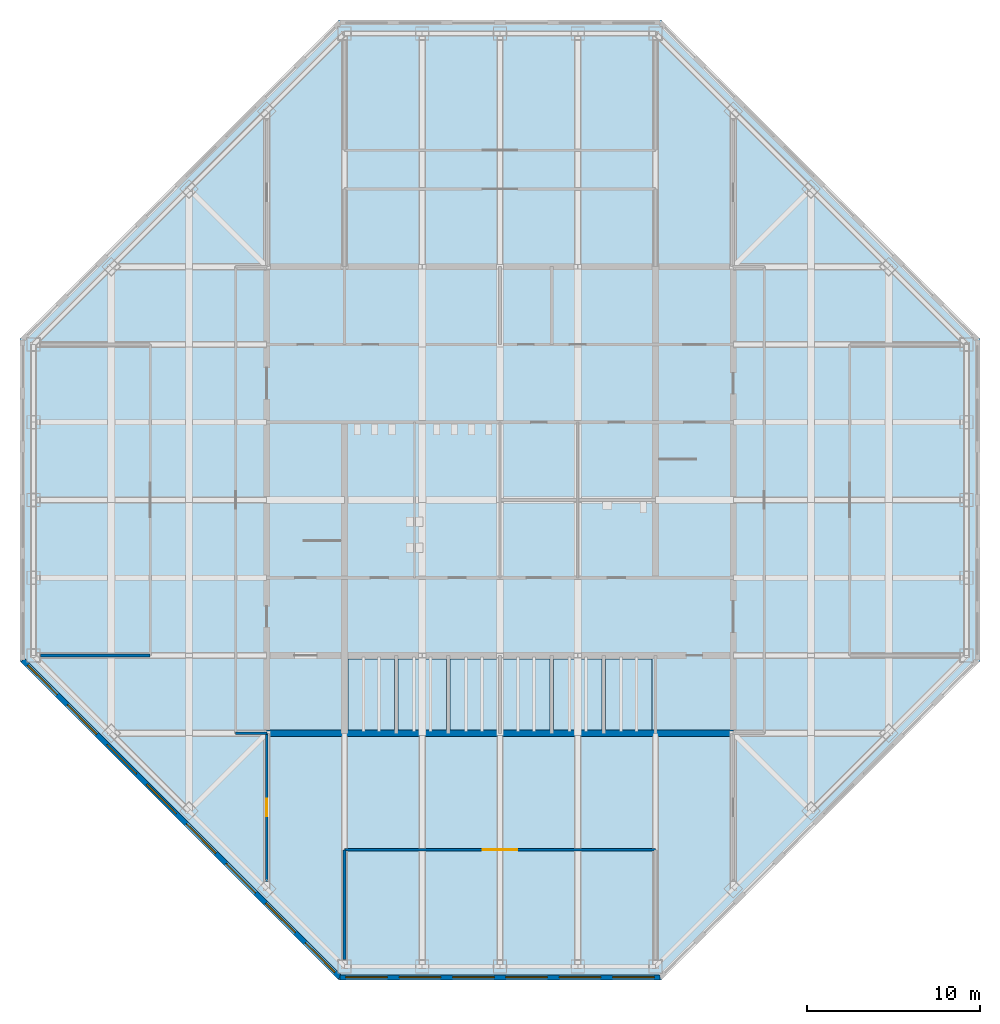
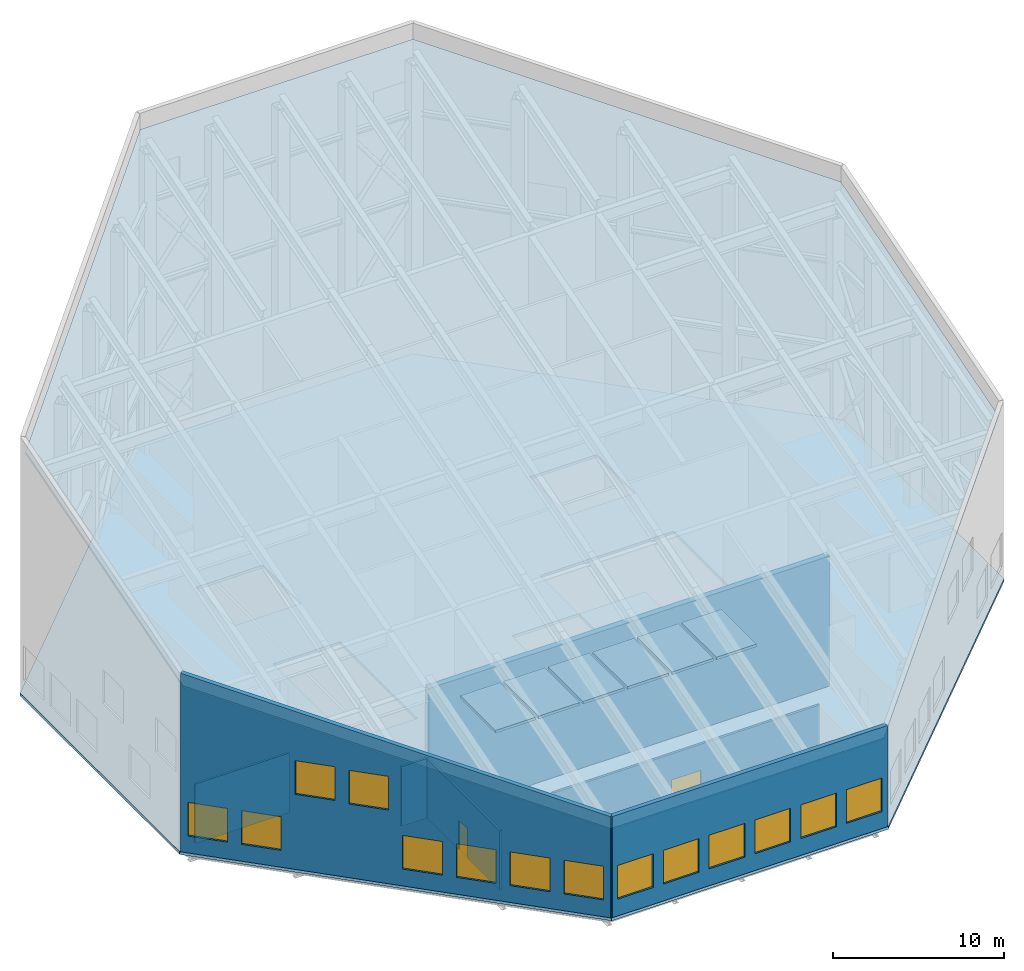
# One storey, part 4 of 10: 14 windows, 8 slabs, 8 walls, 2 doors, 16 openings.
"""IFC4 building model written with IfcOpenShell, lengths in metres."""

from ifc_helpers import new_model, si_unit, direction, frame, frame_2d, origin, place, context, subcontext, project, spatial, polyline, rectangle, outline, extrude, material, layer, layer_set, type_object, element, fill, save


model = new_model("IFC4")

# Units and contexts
model_context = context("Model", 3, precision=1e-05, world=origin(), true_north=direction((0.0, 1.0)))
body_context = subcontext(model_context, "Body", "Model", "MODEL_VIEW")
ifc_project = project(units=[si_unit("LENGTHUNIT", "METRE"), si_unit("AREAUNIT", "SQUARE_METRE"), si_unit("VOLUMEUNIT", "CUBIC_METRE"), si_unit("PLANEANGLEUNIT", "RADIAN"), si_unit("MASSUNIT", "GRAM", prefix="KILO")], contexts=[model_context])

# Site, building, storey
site_placement = place(None, origin())
site = spatial("IfcSite", under=ifc_project, at=site_placement, CompositionType="ELEMENT")
building_placement = place(site_placement, origin())
building = spatial("IfcBuilding", under=site, at=building_placement, Name="Corais Broadcast Tower", CompositionType="ELEMENT")
storey_placement = place(building_placement, frame((0.0, 0.0, 320.10009765625)))
storey = spatial("IfcBuildingStorey", under=building, at=storey_placement, Name="L75", CompositionType="ELEMENT", Elevation=320.10009765625)

# Slabs
ifc_material_1 = material(Name="Concrete C30/37", Category="concrete")
ifc_layer_1 = layer(ifc_material_1, 0.199951171875)
ifc_layer_set_1 = layer_set([ifc_layer_1], Name="Concrete C30/37")
slab_type_1 = type_object("IfcSlabType", Name="Composite floor slab 200", PredefinedType="FLOOR", material=ifc_layer_set_1)
slab_1_placement = place(storey_placement, frame((0.0, 0.0, -0.2001953125)))
element("IfcSlab", 1, at=slab_1_placement, inside=storey, type_object=slab_type_1, Name="S200 floor slab L75", PredefinedType="FLOOR", context=body_context, shape_type="SweptSolid", body=[
    extrude(outline(polyline([(17.677001953125, -0.780029296875), (-0.780029296875, 17.677001953125), (-0.780029296875, 36.322998046875), (17.677001953125, 54.780029296875), (36.322998046875, 54.780029296875), (54.780029296875, 36.322998046875), (54.780029296875, 17.677001953125), (36.322998046875, -0.780029296875), (17.677001953125, -0.780029296875)]), holes=[polyline([(13.5, 18.0), (40.5, 18.0), (40.5, 13.5), (13.5, 13.5), (13.5, 18.0)]), polyline([(18.0, 22.5), (13.5, 22.5), (13.5, 31.5), (18.0, 31.5), (18.0, 22.5)]), polyline([(18.0, 36.0), (13.5, 36.0), (13.5, 40.5), (18.0, 40.5), (18.0, 36.0)]), polyline([(31.5, 22.5), (27.0, 22.5), (27.0, 27.0), (31.4951171875, 27.0), (31.4951171875, 27.0048828125), (31.5, 27.0048828125), (31.5, 31.5), (40.5, 31.5), (40.5, 22.5), (36.0, 22.5), (36.0, 27.0), (31.5048828125, 27.0), (31.5048828125, 26.9951171875), (31.5, 26.9951171875), (31.5, 22.5)]), polyline([(40.5, 36.0), (36.0, 36.0), (36.0, 40.5), (40.5, 40.5), (40.5, 36.0)])]), origin(), (0.0, 0.0, 1.0), 0.2001953125),
])
ifc_material_2 = material(Name="Concrete C30/37", Category="concrete")
ifc_layer_2 = layer(ifc_material_2, 0.14990234375)
ifc_layer_set_2 = layer_set([ifc_layer_2], Name="Concrete C30/37")
slab_type_2 = type_object("IfcSlabType", Name="Crown roof deck 150", PredefinedType="ROOF", material=ifc_layer_set_2)
slab_2_placement = place(storey_placement, frame((17.80126953125, -0.47998046875, 6.156005859375), z_axis=(0.0, -0.287343875373, 0.95782748827), x_axis=(-0.691714463869, 0.69171533267, 0.207511443113)))
element("IfcSlab", 2, at=slab_2_placement, inside=storey, type_object=slab_type_2, Name="RS2 crown roof", PredefinedType="ROOF", context=body_context, shape_type="SweptSolid", body=[
    extrude(outline(polyline([(0.0, 0.0), (26.4288965388122, -4.440892098500626e-16), (40.299966922532775, -13.286075817796654), (41.43805337612602, -39.69045673239844), (28.712263547187987, -52.97657137049093), (2.2833670083757864, -52.97657137049093), (-11.587703375344788, -39.69049555269427), (-12.725789828938032, -13.286114638092494), (0.0, 0.0)])), origin(), (0.0, 0.0, -1.0), 0.14990234375),
])
ifc_material_3 = material(Name="Concrete C30/37", Category="concrete")
ifc_layer_3 = layer(ifc_material_3, 0.199951171875)
ifc_layer_set_3 = layer_set([ifc_layer_3], Name="Concrete C30/37")
slab_type_3 = type_object("IfcSlabType", Name="Lift shaft slab 200", PredefinedType="FLOOR", material=ifc_layer_set_3)
slab_3_placement = place(storey_placement, frame((0.0, 0.0, 4.199951171875)))
element("IfcSlab", 3, at=slab_3_placement, inside=storey, type_object=slab_type_3, Name="SS1 lift shaft slab L75 1", PredefinedType="FLOOR", context=body_context, shape_type="SweptSolid", body=[
    extrude(outline(polyline([(18.199951171875, 13.699951171875), (20.89990234375, 13.699951171875), (20.89990234375, 17.800048828125), (18.199951171875, 17.800048828125), (18.199951171875, 13.699951171875)])), origin(), (0.0, 0.0, 1.0), 0.199951171875),
])
slab_4_placement = place(storey_placement, frame((0.0, 0.0, 4.199951171875)))
element("IfcSlab", 4, at=slab_4_placement, inside=storey, type_object=slab_type_3, Name="SS1 lift shaft slab L75 2", PredefinedType="FLOOR", context=body_context, shape_type="SweptSolid", body=[
    extrude(outline(polyline([(21.10009765625, 13.699951171875), (23.89990234375, 13.699951171875), (23.89990234375, 17.800048828125), (21.10009765625, 17.800048828125), (21.10009765625, 13.699951171875)])), origin(), (0.0, 0.0, 1.0), 0.199951171875),
])
slab_5_placement = place(storey_placement, frame((0.0, 0.0, 4.199951171875)))
element("IfcSlab", 5, at=slab_5_placement, inside=storey, type_object=slab_type_3, Name="SS1 lift shaft slab L75 3", PredefinedType="FLOOR", context=body_context, shape_type="SweptSolid", body=[
    extrude(outline(polyline([(24.10009765625, 13.699951171875), (26.89990234375, 13.699951171875), (26.89990234375, 17.800048828125), (24.10009765625, 17.800048828125), (24.10009765625, 13.699951171875)])), origin(), (0.0, 0.0, 1.0), 0.199951171875),
])
slab_6_placement = place(storey_placement, frame((0.0, 0.0, 4.199951171875)))
element("IfcSlab", 6, at=slab_6_placement, inside=storey, type_object=slab_type_3, Name="SS1 lift shaft slab L75 4", PredefinedType="FLOOR", context=body_context, shape_type="SweptSolid", body=[
    extrude(outline(polyline([(27.10009765625, 13.699951171875), (29.89990234375, 13.699951171875), (29.89990234375, 17.800048828125), (27.10009765625, 17.800048828125), (27.10009765625, 13.699951171875)])), origin(), (0.0, 0.0, 1.0), 0.199951171875),
])
slab_7_placement = place(storey_placement, frame((0.0, 0.0, 4.199951171875)))
element("IfcSlab", 7, at=slab_7_placement, inside=storey, type_object=slab_type_3, Name="SS1 lift shaft slab L75 5", PredefinedType="FLOOR", context=body_context, shape_type="SweptSolid", body=[
    extrude(outline(polyline([(30.10009765625, 13.699951171875), (32.89990234375, 13.699951171875), (32.89990234375, 17.800048828125), (30.10009765625, 17.800048828125), (30.10009765625, 13.699951171875)])), origin(), (0.0, 0.0, 1.0), 0.199951171875),
])
slab_8_placement = place(storey_placement, frame((0.0, 0.0, 4.199951171875)))
element("IfcSlab", 8, at=slab_8_placement, inside=storey, type_object=slab_type_3, Name="SS1 lift shaft slab L75 6", PredefinedType="FLOOR", context=body_context, shape_type="SweptSolid", body=[
    extrude(outline(polyline([(33.10009765625, 13.699951171875), (35.800048828125, 13.699951171875), (35.800048828125, 17.800048828125), (33.10009765625, 17.800048828125), (33.10009765625, 13.699951171875)])), origin(), (0.0, 0.0, 1.0), 0.199951171875),
])

# Wall
ifc_material_4 = material(Name="Concrete C50/60", Category="concrete")
ifc_layer_4 = layer(ifc_material_4, 0.39990234375)
ifc_layer_set_4 = layer_set([ifc_layer_4], Name="Concrete C50/60")
wall_type_1 = type_object("IfcWallType", Name="Core wall 400", PredefinedType="SHEAR", material=ifc_layer_set_4)
wall_1_placement = place(storey_placement, frame((13.5, 13.5, 0.0), z_axis=(0.0, 0.0, 1.0), x_axis=(1.0, 0.0, 0.0)))
element("IfcWall", 9, at=wall_1_placement, inside=storey, type_object=wall_type_1, Name="CR400 core wall S L75", PredefinedType="SHEAR", context=body_context, shape_type="SweptSolid", body=[
    extrude(rectangle(XDim=27.0, YDim=0.39990234375, at=frame_2d((13.5, 0.0))), origin(), (0.0, 0.0, 1.0), 9.277099609375),
])

# Wall, opening, door
ifc_material_5 = material(Name="Two layers of fire-rated gypsum board each side on steel studs", Category="steel")
ifc_layer_5 = layer(ifc_material_5, 0.14990234375)
ifc_layer_set_5 = layer_set([ifc_layer_5], Name="Two layers of fire-rated gypsum board each side on steel studs")
wall_type_2 = type_object("IfcWallType", Name="Fire-rated partition 150 EI 60", PredefinedType="PARTITIONING", material=ifc_layer_set_5)
wall_2_placement = place(storey_placement, frame((36.0, 6.75, 0.0), z_axis=(0.0, 0.0, 1.0), x_axis=(-1.0, 0.0, 0.0)))
wall_2 = element("IfcWall", 10, at=wall_2_placement, inside=storey, type_object=wall_type_2, Name="IW7 partition L75", PredefinedType="PARTITIONING", context=body_context, shape_type="SweptSolid", body=[
    extrude(rectangle(XDim=18.0, YDim=0.14990234375, at=frame_2d((9.0, 0.0))), origin(), (0.0, 0.0, 1.0), 4.245849609375),
])
opening_1_placement = place(wall_2_placement, frame((8.0, 0.0, 0.0)))
opening_1 = element("IfcOpeningElement", 11, at=opening_1_placement, cuts=wall_2, Name="Opening D4", PredefinedType="OPENING", context=body_context, shape_type="SweptSolid", body=[
    extrude(rectangle(XDim=2.0, YDim=2.39990234375, at=frame_2d((1.0, 1.199951171875))), frame((0.0, 0.0849609375, 0.0), z_axis=(0.0, -1.0, 0.0), x_axis=(1.0, 0.0, 0.0)), (0.0, 0.0, 1.0), 0.169921875),
])
ifc_material_6 = material(Name="Steel door", Category="steel")
door_type_1 = type_object("IfcDoorType", Name="Plant room door pair 2000x2400", OperationType="DOUBLE_DOOR_SINGLE_SWING", PredefinedType="DOOR", material=ifc_material_6)
door_1_placement = place(opening_1_placement, origin())
door_1 = element("IfcDoor", 12, at=door_1_placement, inside=storey, type_object=door_type_1, Name="D4 Water treatment plant room door", OperationType="SINGLE_SWING_LEFT", OverallHeight=2.39990234375, OverallWidth=2.0, PredefinedType="DOOR", context=body_context, shape_type="SweptSolid", body=[
    extrude(rectangle(XDim=2.0, YDim=2.39990234375, at=frame_2d((1.0, 1.199951171875))), frame((0.0, 0.02490234375, 0.0), z_axis=(0.0, -1.0, 0.0), x_axis=(1.0, 0.0, 0.0)), (0.0, 0.0, 1.0), 0.050048828125),
])
fill(opening_1, door_1)

# Walls
for number, where, z_axis, x_axis, name in (
    (13, (18.0, 6.75, 0.0), (0.0, 0.0, 1.0), (0.0, -1.0, 0.0), "IW7 partition L75"),
    (14, (0.409912109375, 18.0, 0.0), (0.0, 0.0, 1.0), (1.0, 0.0, 0.0), "IW7 partition L75"),
):
    element("IfcWall", number, at=place(storey_placement, frame(where, z_axis=z_axis, x_axis=x_axis)), inside=storey, type_object=wall_type_2, Name=name, PredefinedType="PARTITIONING", context=body_context, shape_type="SweptSolid", body=[
        extrude(rectangle(XDim=6.340087890625, YDim=0.14990234375, at=frame_2d((3.169921875, 0.0))), origin(), (0.0, 0.0, 1.0), 4.245849609375),
    ])
ifc_material_7 = material(Name="Gypsum board on steel studs", Category="steel")
ifc_layer_6 = layer(ifc_material_7, 0.14990234375)
ifc_layer_set_6 = layer_set([ifc_layer_6], Name="Gypsum board on steel studs")
wall_type_3 = type_object("IfcWallType", Name="Partition 150", PredefinedType="PARTITIONING", material=ifc_layer_set_6)
wall_3_placement = place(storey_placement, frame((11.699951171875, 13.5, 0.0), z_axis=(0.0, 0.0, 1.0), x_axis=(1.0, 0.0, 0.0)))
element("IfcWall", 15, at=wall_3_placement, inside=storey, type_object=wall_type_3, Name="IW3 corridor wall L75", PredefinedType="PARTITIONING", context=body_context, shape_type="SweptSolid", body=[
    extrude(rectangle(XDim=1.81005859375, YDim=0.14990234375, at=frame_2d((0.905029296875, 0.0))), origin(), (0.0, 0.0, 1.0), 4.245849609375),
])

# Wall, opening, door
wall_4_placement = place(storey_placement, frame((13.5, 4.919921875, 0.0), z_axis=(0.0, 0.0, 1.0), x_axis=(0.0, 1.0, 0.0)))
wall_4 = element("IfcWall", 16, at=wall_4_placement, inside=storey, type_object=wall_type_3, Name="IW3 partition L75", PredefinedType="PARTITIONING", context=body_context, shape_type="SweptSolid", body=[
    extrude(rectangle(XDim=8.580078125, YDim=0.14990234375, at=frame_2d((4.2900390625, 0.0))), origin(), (0.0, 0.0, 1.0), 4.245849609375),
])
opening_2_placement = place(wall_4_placement, frame((3.7900390625, 0.0, 0.0)))
opening_2 = element("IfcOpeningElement", 17, at=opening_2_placement, cuts=wall_4, Name="Opening D1", PredefinedType="OPENING", context=body_context, shape_type="SweptSolid", body=[
    extrude(rectangle(XDim=1.0, YDim=2.10009765625, at=frame_2d((0.5, 1.050048828125))), frame((0.0, 0.0849609375, 0.0), z_axis=(0.0, -1.0, 0.0), x_axis=(1.0, 0.0, 0.0)), (0.0, 0.0, 1.0), 0.169921875),
])
ifc_material_8 = material(Name="Timber door", Category="wood")
door_type_2 = type_object("IfcDoorType", Name="Single door 1000x2100", OperationType="SINGLE_SWING_LEFT", PredefinedType="DOOR", material=ifc_material_8)
door_2_placement = place(opening_2_placement, origin())
door_2 = element("IfcDoor", 18, at=door_2_placement, inside=storey, type_object=door_type_2, Name="D1 team room door L75", OperationType="SINGLE_SWING_LEFT", OverallHeight=2.10009765625, OverallWidth=1.0, PredefinedType="DOOR", context=body_context, shape_type="SweptSolid", body=[
    extrude(rectangle(XDim=1.0, YDim=2.10009765625, at=frame_2d((0.5, 1.050048828125))), frame((0.0, 0.02490234375, 0.0), z_axis=(0.0, -1.0, 0.0), x_axis=(1.0, 0.0, 0.0)), (0.0, 0.0, 1.0), 0.050048828125),
])
fill(opening_2, door_2)

# Wall, openings, windows
ifc_material_9 = material(Name="Precast concrete C40/50", Category="concrete")
ifc_layer_7 = layer(ifc_material_9, 0.300048828125)
ifc_layer_set_7 = layer_set([ifc_layer_7], Name="Precast concrete C40/50")
wall_type_4 = type_object("IfcWallType", Name="Stone-faced precast wall 300", PredefinedType="SOLIDWALL", material=ifc_layer_set_7)
wall_5_placement = place(storey_placement, frame((17.739013671875, -0.6298828125, 0.0), z_axis=(0.0, 0.0, 1.0), x_axis=(-0.707106781187, 0.707106781187, 0.0)))
wall_5 = element("IfcWall", 19, at=wall_5_placement, inside=storey, type_object=wall_type_4, Name="EW1 crown wall L75 1", PredefinedType="SOLIDWALL", context=body_context, shape_type="SweptSolid", body=[
    extrude(outline(polyline([(0.0, 0.0), (25.9775390625, 0.0), (25.977783203125, 12.7216796875), (0.0, 7.2109375), (0.0, 0.0)])), frame((0.0, 0.14990234375, 0.0), z_axis=(0.0, -1.0, 0.0), x_axis=(1.0, 0.0, 0.0)), (0.0, 0.0, 1.0), 0.300048828125),
])
opening_3_placement = place(wall_5_placement, frame((0.423583984375, 0.0, 1.199951171875)))
opening_3 = element("IfcOpeningElement", 20, at=opening_3_placement, cuts=wall_5, Name="Opening LV2", PredefinedType="OPENING", context=body_context, shape_type="SweptSolid", body=[
    extrude(rectangle(XDim=2.39990234375, YDim=2.39990234375, at=frame_2d((1.199951171875, 1.199951171875))), frame((0.0, 0.159912109375, 0.0), z_axis=(0.0, -1.0, 0.0), x_axis=(1.0, 0.0, 0.0)), (0.0, 0.0, 1.0), 0.320068359375),
])
opening_4_placement = place(wall_5_placement, frame((3.6708984375, 0.0, 1.199951171875)))
opening_4 = element("IfcOpeningElement", 21, at=opening_4_placement, cuts=wall_5, Name="Opening LV2", PredefinedType="OPENING", context=body_context, shape_type="SweptSolid", body=[
    extrude(rectangle(XDim=2.39990234375, YDim=2.39990234375, at=frame_2d((1.199951171875, 1.199951171875))), frame((0.0, 0.159912109375, 0.0), z_axis=(0.0, -1.0, 0.0), x_axis=(1.0, 0.0, 0.0)), (0.0, 0.0, 1.0), 0.320068359375),
])
opening_5_placement = place(wall_5_placement, frame((6.91796875, 0.0, 1.199951171875)))
opening_5 = element("IfcOpeningElement", 22, at=opening_5_placement, cuts=wall_5, Name="Opening LV2", PredefinedType="OPENING", context=body_context, shape_type="SweptSolid", body=[
    extrude(rectangle(XDim=2.39990234375, YDim=2.39990234375, at=frame_2d((1.199951171875, 1.199951171875))), frame((0.0, 0.159912109375, 0.0), z_axis=(0.0, -1.0, 0.0), x_axis=(1.0, 0.0, 0.0)), (0.0, 0.0, 1.0), 0.320068359375),
])
opening_6_placement = place(wall_5_placement, frame((10.165283203125, 0.0, 1.199951171875)))
opening_6 = element("IfcOpeningElement", 23, at=opening_6_placement, cuts=wall_5, Name="Opening LV2", PredefinedType="OPENING", context=body_context, shape_type="SweptSolid", body=[
    extrude(rectangle(XDim=2.39990234375, YDim=2.39990234375, at=frame_2d((1.199951171875, 1.199951171875))), frame((0.0, 0.159912109375, 0.0), z_axis=(0.0, -1.0, 0.0), x_axis=(1.0, 0.0, 0.0)), (0.0, 0.0, 1.0), 0.320068359375),
])
opening_7_placement = place(wall_5_placement, frame((13.412353515625, 0.0, 5.25)))
opening_7 = element("IfcOpeningElement", 24, at=opening_7_placement, cuts=wall_5, Name="Opening LV2", PredefinedType="OPENING", context=body_context, shape_type="SweptSolid", body=[
    extrude(rectangle(XDim=2.39990234375, YDim=2.39990234375, at=frame_2d((1.199951171875, 1.199951171875))), frame((0.0, 0.159912109375, 0.0), z_axis=(0.0, -1.0, 0.0), x_axis=(1.0, 0.0, 0.0)), (0.0, 0.0, 1.0), 0.320068359375),
])
opening_8_placement = place(wall_5_placement, frame((16.65966796875, 0.0, 5.35009765625)))
opening_8 = element("IfcOpeningElement", 25, at=opening_8_placement, cuts=wall_5, Name="Opening LV2", PredefinedType="OPENING", context=body_context, shape_type="SweptSolid", body=[
    extrude(rectangle(XDim=2.39990234375, YDim=2.39990234375, at=frame_2d((1.199951171875, 1.199951171875))), frame((0.0, 0.159912109375, 0.0), z_axis=(0.0, -1.0, 0.0), x_axis=(1.0, 0.0, 0.0)), (0.0, 0.0, 1.0), 0.320068359375),
])
opening_9_placement = place(wall_5_placement, frame((19.906982421875, 0.0, 1.199951171875)))
opening_9 = element("IfcOpeningElement", 26, at=opening_9_placement, cuts=wall_5, Name="Opening LV2", PredefinedType="OPENING", context=body_context, shape_type="SweptSolid", body=[
    extrude(rectangle(XDim=2.39990234375, YDim=2.39990234375, at=frame_2d((1.199951171875, 1.199951171875))), frame((0.0, 0.159912109375, 0.0), z_axis=(0.0, -1.0, 0.0), x_axis=(1.0, 0.0, 0.0)), (0.0, 0.0, 1.0), 0.320068359375),
])
opening_10_placement = place(wall_5_placement, frame((23.154052734375, 0.0, 1.199951171875)))
opening_10 = element("IfcOpeningElement", 27, at=opening_10_placement, cuts=wall_5, Name="Opening LV2", PredefinedType="OPENING", context=body_context, shape_type="SweptSolid", body=[
    extrude(rectangle(XDim=2.39990234375, YDim=2.39990234375, at=frame_2d((1.199951171875, 1.199951171875))), frame((0.0, 0.159912109375, 0.0), z_axis=(0.0, -1.0, 0.0), x_axis=(1.0, 0.0, 0.0)), (0.0, 0.0, 1.0), 0.320068359375),
])
ifc_material_10 = material(Name="Aluminium frame", Category="aluminium")
window_type = type_object("IfcWindowType", Name="Crown louvre 2400x2400", PartitioningType="SINGLE_PANEL", PredefinedType="USERDEFINED", material=ifc_material_10)
window_1_placement = place(opening_3_placement, origin())
window_1 = element("IfcWindow", 28, at=window_1_placement, inside=storey, type_object=window_type, Name="LV2 window L75", ObjectType="LOUVRE", OverallHeight=2.39990234375, OverallWidth=2.39990234375, PartitioningType="SINGLE_PANEL", PredefinedType="USERDEFINED", context=body_context, shape_type="SweptSolid", body=[
    extrude(rectangle(XDim=2.39990234375, YDim=2.39990234375, at=frame_2d((1.199951171875, 1.199951171875))), frame((0.0, 0.030029296875, 0.0), z_axis=(0.0, -1.0, 0.0), x_axis=(1.0, 0.0, 0.0)), (0.0, 0.0, 1.0), 0.06005859375),
])
fill(opening_3, window_1)
window_2_placement = place(opening_4_placement, origin())
window_2 = element("IfcWindow", 29, at=window_2_placement, inside=storey, type_object=window_type, Name="LV2 window L75", ObjectType="LOUVRE", OverallHeight=2.39990234375, OverallWidth=2.39990234375, PartitioningType="SINGLE_PANEL", PredefinedType="USERDEFINED", context=body_context, shape_type="SweptSolid", body=[
    extrude(rectangle(XDim=2.39990234375, YDim=2.39990234375, at=frame_2d((1.199951171875, 1.199951171875))), frame((0.0, 0.030029296875, 0.0), z_axis=(0.0, -1.0, 0.0), x_axis=(1.0, 0.0, 0.0)), (0.0, 0.0, 1.0), 0.06005859375),
])
fill(opening_4, window_2)
window_3_placement = place(opening_5_placement, origin())
window_3 = element("IfcWindow", 30, at=window_3_placement, inside=storey, type_object=window_type, Name="LV2 window L75", ObjectType="LOUVRE", OverallHeight=2.39990234375, OverallWidth=2.39990234375, PartitioningType="SINGLE_PANEL", PredefinedType="USERDEFINED", context=body_context, shape_type="SweptSolid", body=[
    extrude(rectangle(XDim=2.39990234375, YDim=2.39990234375, at=frame_2d((1.199951171875, 1.199951171875))), frame((0.0, 0.030029296875, 0.0), z_axis=(0.0, -1.0, 0.0), x_axis=(1.0, 0.0, 0.0)), (0.0, 0.0, 1.0), 0.06005859375),
])
fill(opening_5, window_3)
window_4_placement = place(opening_6_placement, origin())
window_4 = element("IfcWindow", 31, at=window_4_placement, inside=storey, type_object=window_type, Name="LV2 window L75", ObjectType="LOUVRE", OverallHeight=2.39990234375, OverallWidth=2.39990234375, PartitioningType="SINGLE_PANEL", PredefinedType="USERDEFINED", context=body_context, shape_type="SweptSolid", body=[
    extrude(rectangle(XDim=2.39990234375, YDim=2.39990234375, at=frame_2d((1.199951171875, 1.199951171875))), frame((0.0, 0.030029296875, 0.0), z_axis=(0.0, -1.0, 0.0), x_axis=(1.0, 0.0, 0.0)), (0.0, 0.0, 1.0), 0.06005859375),
])
fill(opening_6, window_4)
window_5_placement = place(opening_7_placement, origin())
window_5 = element("IfcWindow", 32, at=window_5_placement, inside=storey, type_object=window_type, Name="LV2 window L75", ObjectType="LOUVRE", OverallHeight=2.39990234375, OverallWidth=2.39990234375, PartitioningType="SINGLE_PANEL", PredefinedType="USERDEFINED", context=body_context, shape_type="SweptSolid", body=[
    extrude(rectangle(XDim=2.39990234375, YDim=2.39990234375, at=frame_2d((1.199951171875, 1.199951171875))), frame((0.0, 0.030029296875, 0.0), z_axis=(0.0, -1.0, 0.0), x_axis=(1.0, 0.0, 0.0)), (0.0, 0.0, 1.0), 0.06005859375),
])
fill(opening_7, window_5)
window_6_placement = place(opening_8_placement, origin())
window_6 = element("IfcWindow", 33, at=window_6_placement, inside=storey, type_object=window_type, Name="LV2 window L75", ObjectType="LOUVRE", OverallHeight=2.39990234375, OverallWidth=2.39990234375, PartitioningType="SINGLE_PANEL", PredefinedType="USERDEFINED", context=body_context, shape_type="SweptSolid", body=[
    extrude(rectangle(XDim=2.39990234375, YDim=2.39990234375, at=frame_2d((1.199951171875, 1.199951171875))), frame((0.0, 0.030029296875, 0.0), z_axis=(0.0, -1.0, 0.0), x_axis=(1.0, 0.0, 0.0)), (0.0, 0.0, 1.0), 0.06005859375),
])
fill(opening_8, window_6)
window_7_placement = place(opening_9_placement, origin())
window_7 = element("IfcWindow", 34, at=window_7_placement, inside=storey, type_object=window_type, Name="LV2 window L75", ObjectType="LOUVRE", OverallHeight=2.39990234375, OverallWidth=2.39990234375, PartitioningType="SINGLE_PANEL", PredefinedType="USERDEFINED", context=body_context, shape_type="SweptSolid", body=[
    extrude(rectangle(XDim=2.39990234375, YDim=2.39990234375, at=frame_2d((1.199951171875, 1.199951171875))), frame((0.0, 0.030029296875, 0.0), z_axis=(0.0, -1.0, 0.0), x_axis=(1.0, 0.0, 0.0)), (0.0, 0.0, 1.0), 0.06005859375),
])
fill(opening_9, window_7)
window_8_placement = place(opening_10_placement, origin())
window_8 = element("IfcWindow", 35, at=window_8_placement, inside=storey, type_object=window_type, Name="LV2 window L75", ObjectType="LOUVRE", OverallHeight=2.39990234375, OverallWidth=2.39990234375, PartitioningType="SINGLE_PANEL", PredefinedType="USERDEFINED", context=body_context, shape_type="SweptSolid", body=[
    extrude(rectangle(XDim=2.39990234375, YDim=2.39990234375, at=frame_2d((1.199951171875, 1.199951171875))), frame((0.0, 0.030029296875, 0.0), z_axis=(0.0, -1.0, 0.0), x_axis=(1.0, 0.0, 0.0)), (0.0, 0.0, 1.0), 0.06005859375),
])
fill(opening_10, window_8)

wall_6_placement = place(storey_placement, frame((36.260986328125, -0.6298828125, 0.0), z_axis=(0.0, 0.0, 1.0), x_axis=(-1.0, 0.0, 0.0)))
wall_6 = element("IfcWall", 36, at=wall_6_placement, inside=storey, type_object=wall_type_4, Name="EW1 crown wall L75 8", PredefinedType="SOLIDWALL", context=body_context, shape_type="SweptSolid", body=[
    extrude(rectangle(XDim=18.52197265625, YDim=0.300048828125, at=frame_2d((9.260986328125, 0.0))), origin(), (0.0, 0.0, 1.0), 7.2109375),
])
opening_11_placement = place(wall_6_placement, frame((0.343505859375, 0.0, 1.199951171875)))
opening_11 = element("IfcOpeningElement", 37, at=opening_11_placement, cuts=wall_6, Name="Opening LV2", PredefinedType="OPENING", context=body_context, shape_type="SweptSolid", body=[
    extrude(rectangle(XDim=2.39990234375, YDim=2.39990234375, at=frame_2d((1.199951171875, 1.199951171875))), frame((0.0, 0.159912109375, 0.0), z_axis=(0.0, -1.0, 0.0), x_axis=(1.0, 0.0, 0.0)), (0.0, 0.0, 1.0), 0.320068359375),
])
opening_12_placement = place(wall_6_placement, frame((3.430419921875, 0.0, 1.199951171875)))
opening_12 = element("IfcOpeningElement", 38, at=opening_12_placement, cuts=wall_6, Name="Opening LV2", PredefinedType="OPENING", context=body_context, shape_type="SweptSolid", body=[
    extrude(rectangle(XDim=2.39990234375, YDim=2.39990234375, at=frame_2d((1.199951171875, 1.199951171875))), frame((0.0, 0.159912109375, 0.0), z_axis=(0.0, -1.0, 0.0), x_axis=(1.0, 0.0, 0.0)), (0.0, 0.0, 1.0), 0.320068359375),
])
opening_13_placement = place(wall_6_placement, frame((6.517578125, 0.0, 1.199951171875)))
opening_13 = element("IfcOpeningElement", 39, at=opening_13_placement, cuts=wall_6, Name="Opening LV2", PredefinedType="OPENING", context=body_context, shape_type="SweptSolid", body=[
    extrude(rectangle(XDim=2.39990234375, YDim=2.39990234375, at=frame_2d((1.199951171875, 1.199951171875))), frame((0.0, 0.159912109375, 0.0), z_axis=(0.0, -1.0, 0.0), x_axis=(1.0, 0.0, 0.0)), (0.0, 0.0, 1.0), 0.320068359375),
])
opening_14_placement = place(wall_6_placement, frame((9.6044921875, 0.0, 1.199951171875)))
opening_14 = element("IfcOpeningElement", 40, at=opening_14_placement, cuts=wall_6, Name="Opening LV2", PredefinedType="OPENING", context=body_context, shape_type="SweptSolid", body=[
    extrude(rectangle(XDim=2.39990234375, YDim=2.39990234375, at=frame_2d((1.199951171875, 1.199951171875))), frame((0.0, 0.159912109375, 0.0), z_axis=(0.0, -1.0, 0.0), x_axis=(1.0, 0.0, 0.0)), (0.0, 0.0, 1.0), 0.320068359375),
])
opening_15_placement = place(wall_6_placement, frame((12.69140625, 0.0, 1.199951171875)))
opening_15 = element("IfcOpeningElement", 41, at=opening_15_placement, cuts=wall_6, Name="Opening LV2", PredefinedType="OPENING", context=body_context, shape_type="SweptSolid", body=[
    extrude(rectangle(XDim=2.39990234375, YDim=2.39990234375, at=frame_2d((1.199951171875, 1.199951171875))), frame((0.0, 0.159912109375, 0.0), z_axis=(0.0, -1.0, 0.0), x_axis=(1.0, 0.0, 0.0)), (0.0, 0.0, 1.0), 0.320068359375),
])
opening_16_placement = place(wall_6_placement, frame((15.778564453125, 0.0, 1.199951171875)))
opening_16 = element("IfcOpeningElement", 42, at=opening_16_placement, cuts=wall_6, Name="Opening LV2", PredefinedType="OPENING", context=body_context, shape_type="SweptSolid", body=[
    extrude(rectangle(XDim=2.39990234375, YDim=2.39990234375, at=frame_2d((1.199951171875, 1.199951171875))), frame((0.0, 0.159912109375, 0.0), z_axis=(0.0, -1.0, 0.0), x_axis=(1.0, 0.0, 0.0)), (0.0, 0.0, 1.0), 0.320068359375),
])
window_9_placement = place(opening_11_placement, origin())
window_9 = element("IfcWindow", 43, at=window_9_placement, inside=storey, type_object=window_type, Name="LV2 window L75", ObjectType="LOUVRE", OverallHeight=2.39990234375, OverallWidth=2.39990234375, PartitioningType="SINGLE_PANEL", PredefinedType="USERDEFINED", context=body_context, shape_type="SweptSolid", body=[
    extrude(rectangle(XDim=2.39990234375, YDim=2.39990234375, at=frame_2d((1.199951171875, 1.199951171875))), frame((0.0, 0.030029296875, 0.0), z_axis=(0.0, -1.0, 0.0), x_axis=(1.0, 0.0, 0.0)), (0.0, 0.0, 1.0), 0.06005859375),
])
fill(opening_11, window_9)
window_10_placement = place(opening_12_placement, origin())
window_10 = element("IfcWindow", 44, at=window_10_placement, inside=storey, type_object=window_type, Name="LV2 window L75", ObjectType="LOUVRE", OverallHeight=2.39990234375, OverallWidth=2.39990234375, PartitioningType="SINGLE_PANEL", PredefinedType="USERDEFINED", context=body_context, shape_type="SweptSolid", body=[
    extrude(rectangle(XDim=2.39990234375, YDim=2.39990234375, at=frame_2d((1.199951171875, 1.199951171875))), frame((0.0, 0.030029296875, 0.0), z_axis=(0.0, -1.0, 0.0), x_axis=(1.0, 0.0, 0.0)), (0.0, 0.0, 1.0), 0.06005859375),
])
fill(opening_12, window_10)
window_11_placement = place(opening_13_placement, origin())
window_11 = element("IfcWindow", 45, at=window_11_placement, inside=storey, type_object=window_type, Name="LV2 window L75", ObjectType="LOUVRE", OverallHeight=2.39990234375, OverallWidth=2.39990234375, PartitioningType="SINGLE_PANEL", PredefinedType="USERDEFINED", context=body_context, shape_type="SweptSolid", body=[
    extrude(rectangle(XDim=2.39990234375, YDim=2.39990234375, at=frame_2d((1.199951171875, 1.199951171875))), frame((0.0, 0.030029296875, 0.0), z_axis=(0.0, -1.0, 0.0), x_axis=(1.0, 0.0, 0.0)), (0.0, 0.0, 1.0), 0.06005859375),
])
fill(opening_13, window_11)
window_12_placement = place(opening_14_placement, origin())
window_12 = element("IfcWindow", 46, at=window_12_placement, inside=storey, type_object=window_type, Name="LV2 window L75", ObjectType="LOUVRE", OverallHeight=2.39990234375, OverallWidth=2.39990234375, PartitioningType="SINGLE_PANEL", PredefinedType="USERDEFINED", context=body_context, shape_type="SweptSolid", body=[
    extrude(rectangle(XDim=2.39990234375, YDim=2.39990234375, at=frame_2d((1.199951171875, 1.199951171875))), frame((0.0, 0.030029296875, 0.0), z_axis=(0.0, -1.0, 0.0), x_axis=(1.0, 0.0, 0.0)), (0.0, 0.0, 1.0), 0.06005859375),
])
fill(opening_14, window_12)
window_13_placement = place(opening_15_placement, origin())
window_13 = element("IfcWindow", 47, at=window_13_placement, inside=storey, type_object=window_type, Name="LV2 window L75", ObjectType="LOUVRE", OverallHeight=2.39990234375, OverallWidth=2.39990234375, PartitioningType="SINGLE_PANEL", PredefinedType="USERDEFINED", context=body_context, shape_type="SweptSolid", body=[
    extrude(rectangle(XDim=2.39990234375, YDim=2.39990234375, at=frame_2d((1.199951171875, 1.199951171875))), frame((0.0, 0.030029296875, 0.0), z_axis=(0.0, -1.0, 0.0), x_axis=(1.0, 0.0, 0.0)), (0.0, 0.0, 1.0), 0.06005859375),
])
fill(opening_15, window_13)
window_14_placement = place(opening_16_placement, origin())
window_14 = element("IfcWindow", 48, at=window_14_placement, inside=storey, type_object=window_type, Name="LV2 window L75", ObjectType="LOUVRE", OverallHeight=2.39990234375, OverallWidth=2.39990234375, PartitioningType="SINGLE_PANEL", PredefinedType="USERDEFINED", context=body_context, shape_type="SweptSolid", body=[
    extrude(rectangle(XDim=2.39990234375, YDim=2.39990234375, at=frame_2d((1.199951171875, 1.199951171875))), frame((0.0, 0.030029296875, 0.0), z_axis=(0.0, -1.0, 0.0), x_axis=(1.0, 0.0, 0.0)), (0.0, 0.0, 1.0), 0.06005859375),
])
fill(opening_16, window_14)

save(model, "model.ifc")
